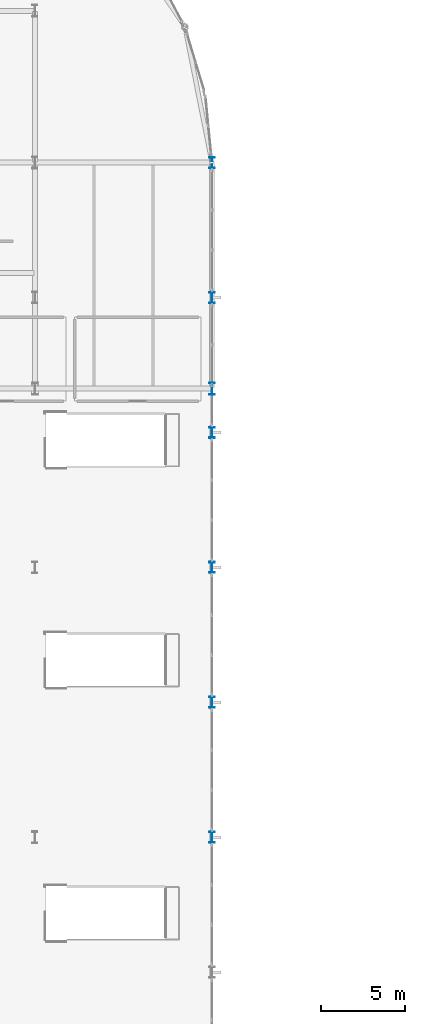
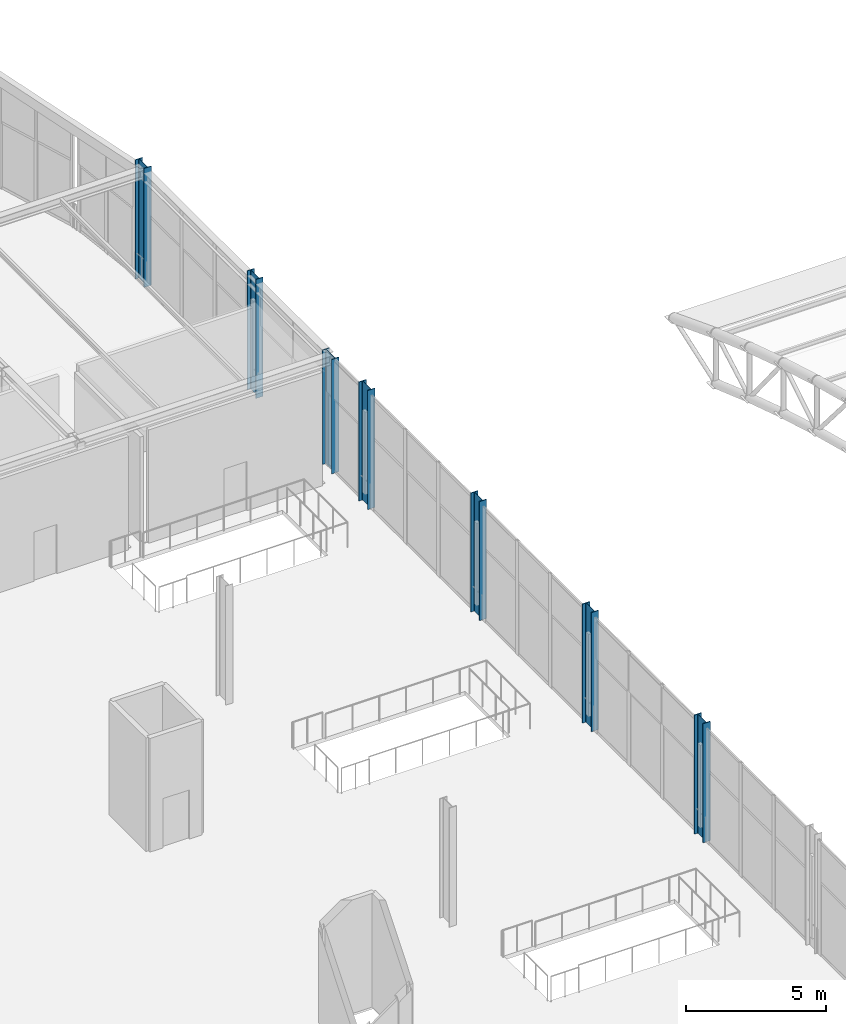
# One storey, part 12 of 195: 7 columns.
"""IFC4 building model written with IfcOpenShell, lengths in metres."""

from ifc_helpers import new_model, si_unit, direction, frame, origin, origin_2d, place, context, subcontext, project, spatial, i_section, extrude, material, material_profile, profile_set, type_object, element, save


model = new_model("IFC4")

# Units and contexts
model_context = context("Model", 3, precision=1e-05, world=origin(), true_north=direction((0.0, 1.0)))
body_context = subcontext(model_context, "Body", "Model", "MODEL_VIEW")
ifc_project = project(units=[si_unit("LENGTHUNIT", "METRE"), si_unit("AREAUNIT", "SQUARE_METRE"), si_unit("VOLUMEUNIT", "CUBIC_METRE"), si_unit("PLANEANGLEUNIT", "RADIAN"), si_unit("MASSUNIT", "GRAM", prefix="KILO")], contexts=[model_context])

# Site, building, storey
site_placement = place(None, origin())
site = spatial("IfcSite", under=ifc_project, at=site_placement, CompositionType="ELEMENT")
building_placement = place(site_placement, origin())
building = spatial("IfcBuilding", under=site, at=building_placement, Name="Marlcrest Central Station", CompositionType="ELEMENT")
storey_placement = place(building_placement, frame((0.0, 0.0, 9.800048828125)))
storey = spatial("IfcBuildingStorey", under=building, at=storey_placement, Name="L02", CompositionType="ELEMENT", Elevation=9.800048828125)

# Columns
ifc_material = material(Name="Steel S355", Category="steel")
ifc_material_profile_1 = material_profile(ifc_material, i_section(OverallWidth=0.300048828125, OverallDepth=0.64990234375, WebThickness=0.01611328125, FlangeThickness=0.031005859375, FilletRadius=0.027099609375, at=origin_2d()), Name="HEB 650")
ifc_profile_set_1 = profile_set([ifc_material_profile_1], Name="Steel S355")
column_type_1 = type_object("IfcColumnType", Name="SC-06", PredefinedType="COLUMN", material=ifc_profile_set_1)
for number, where, z_axis, x_axis, name in (
    (1, (129.0, 70.5, 0.0), (0.0, 0.0, 1.0), (1.0, 0.0, 0.0), "col-SC-06-L02-0733"),
    (2, (129.0, 78.5, 0.0), (0.0, 0.0, 1.0), (1.0, 0.0, 0.0), "col-SC-06-L02-0737"),
    (3, (129.0, 86.5, 0.0), (0.0, 0.0, 1.0), (1.0, 0.0, 0.0), "col-SC-06-L02-0745"),
    (4, (129.0, 94.5, 0.0), (0.0, 0.0, 1.0), (1.0, 0.0, 0.0), "col-SC-06-L02-0749"),
    (5, (129.0, 102.5, 0.0), (0.0, 0.0, 1.0), (1.0, 0.0, 0.0), "col-SC-06-L02-0767"),
    (6, (129.0, 110.5, 0.0), (0.0, 0.0, 1.0), (1.0, 0.0, 0.0), "col-SC-06-L02-0785"),
):
    element("IfcColumn", number, at=place(storey_placement, frame(where, z_axis=z_axis, x_axis=x_axis)), inside=storey, type_object=column_type_1, Name=name, PredefinedType="COLUMN", context=body_context, shape_type="SweptSolid", body=[
        extrude(i_section(OverallWidth=0.300048828125, OverallDepth=0.64990234375, WebThickness=0.01611328125, FlangeThickness=0.031005859375, FilletRadius=0.027099609375, at=origin_2d()), origin(), (0.0, 0.0, 1.0), 5.199951171875),
    ])
ifc_material_profile_2 = material_profile(ifc_material, i_section(OverallWidth=0.300048828125, OverallDepth=0.699951171875, WebThickness=0.01708984375, FlangeThickness=0.031982421875, FilletRadius=0.027099609375, at=origin_2d()), Name="HEB 700")
ifc_profile_set_2 = profile_set([ifc_material_profile_2], Name="Steel S355")
column_type_2 = type_object("IfcColumnType", Name="SC-07", PredefinedType="COLUMN", material=ifc_profile_set_2)
column_placement = place(storey_placement, frame((129.0, 97.10009765625, 0.0), z_axis=(0.0, 0.0, 1.0), x_axis=(1.0, 0.0, 0.0)))
element("IfcColumn", 7, at=column_placement, inside=storey, type_object=column_type_2, Name="col-SC-07-L02-0898", PredefinedType="COLUMN", context=body_context, shape_type="SweptSolid", body=[
    extrude(i_section(OverallWidth=0.300048828125, OverallDepth=0.699951171875, WebThickness=0.01708984375, FlangeThickness=0.031982421875, FilletRadius=0.027099609375, at=origin_2d()), origin(), (0.0, 0.0, 1.0), 4.994873046875),
])

save(model, "model.ifc")
